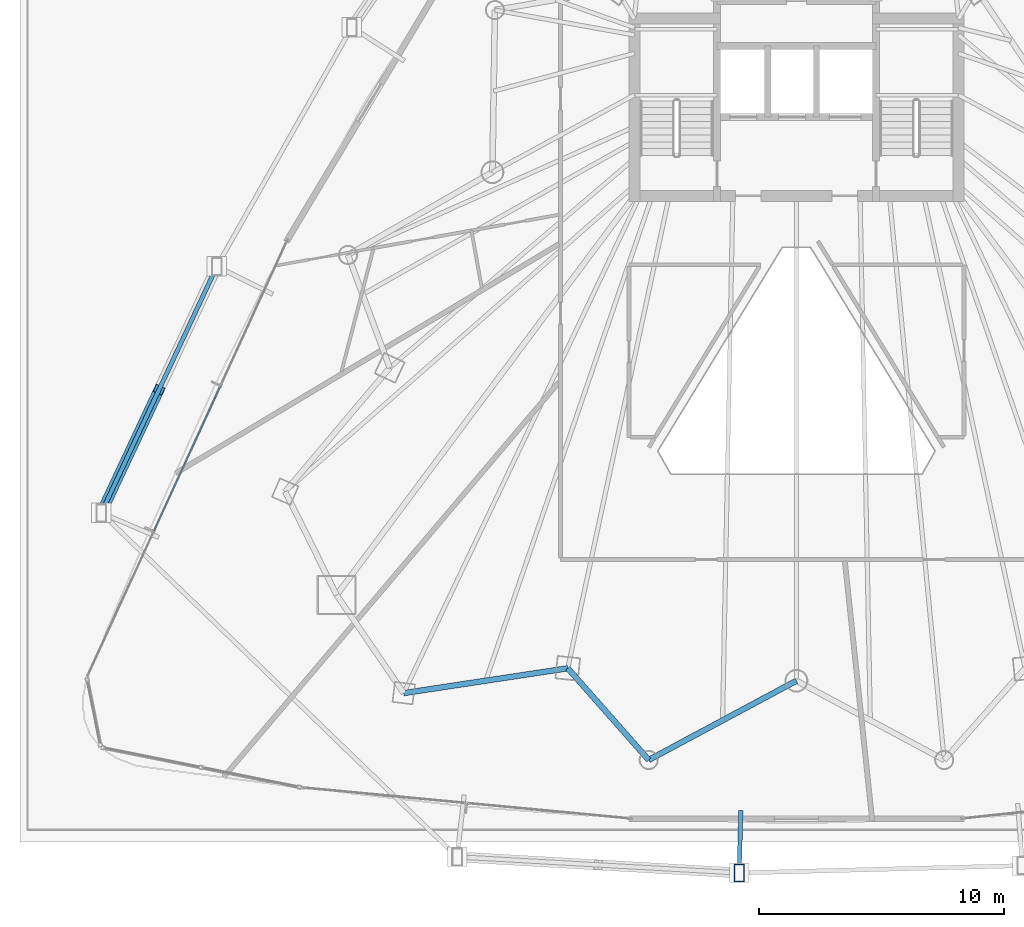
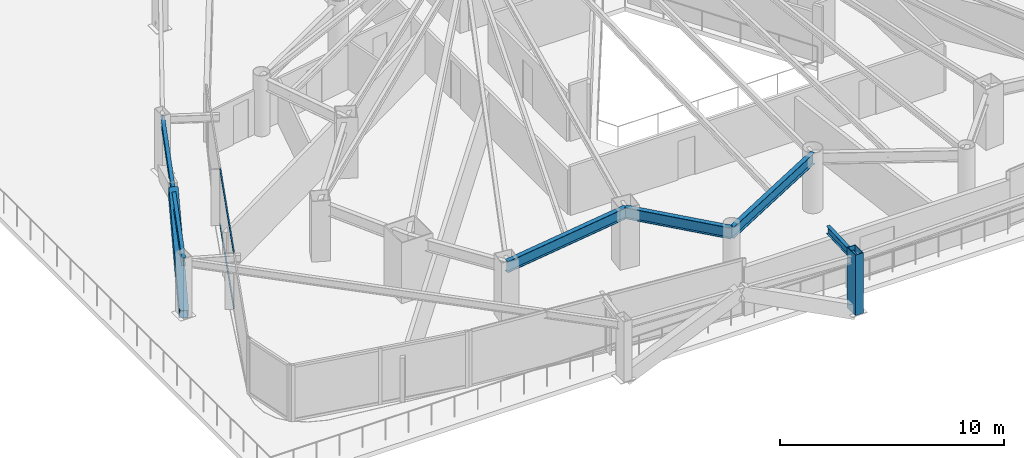
# One storey, part 7 of 36: 5 beams, 4 members, 1 element without a shape of its own.
"""IFC4 building model written with IfcOpenShell, lengths in metres."""

from ifc_helpers import new_model, si_unit, direction, frame, origin, origin_2d, place, context, subcontext, project, spatial, hollow_rectangle, i_section, extrude, material, layer, layer_set, material_profile, profile_set, type_object, element, aggregate, save


model = new_model("IFC4")

# Units and contexts
model_context = context("Model", 3, precision=1e-05, world=origin(), true_north=direction((0.0, 1.0)))
body_context = subcontext(model_context, "Body", "Model", "MODEL_VIEW")
ifc_project = project(units=[si_unit("LENGTHUNIT", "METRE"), si_unit("AREAUNIT", "SQUARE_METRE"), si_unit("VOLUMEUNIT", "CUBIC_METRE"), si_unit("PLANEANGLEUNIT", "RADIAN"), si_unit("MASSUNIT", "GRAM", prefix="KILO")], contexts=[model_context])

# Site, building, storey
site_placement = place(None, origin())
site = spatial("IfcSite", under=ifc_project, at=site_placement, CompositionType="ELEMENT")
building_placement = place(site_placement, origin())
building = spatial("IfcBuilding", under=site, at=building_placement, Name="Orvanel Arch Residences", CompositionType="ELEMENT")
storey_placement = place(building_placement, frame((0.0, 0.0, 23.60009765625)))
storey = spatial("IfcBuildingStorey", under=building, at=storey_placement, Name="L05", CompositionType="ELEMENT", Elevation=23.60009765625)

# Members
ifc_material_1 = material(Name="Structural steel AS/NZS 3678 Grade 350", Category="steel")
ifc_material_profile_1 = material_profile(ifc_material_1, hollow_rectangle(XDim=0.419921875, YDim=0.719970703125, WallThickness=0.02490234375, at=origin_2d()), Name="RHS720x420x25")
ifc_profile_set_1 = profile_set([ifc_material_profile_1], Name="Structural steel AS/NZS 3678 Grade 350")
member_type_1 = type_object("IfcMemberType", Name="BR-720RHS-EXT", PredefinedType="BRACE", material=ifc_profile_set_1)
member_1_placement = place(storey_placement, frame((4.572998046875, 13.7080078125, 0.0), z_axis=(0.377854104744, 0.805422774132, 0.456640373202), x_axis=(-0.90532403647, 0.424721542885, 0.0)))
element("IfcMember", 1, at=member_1_placement, inside=storey, type_object=member_type_1, Name="L05 Exterior Sky-Garden V-Frame Chevron F1B3.2", PredefinedType="BRACE", context=body_context, shape_type="SweptSolid", body=[
    extrude(hollow_rectangle(XDim=0.419921875, YDim=0.719970703125, WallThickness=0.02490234375, at=origin_2d()), origin(), (0.0, 0.0, 1.0), 6.25634765625),
])
ifc_material_profile_2 = material_profile(ifc_material_1, hollow_rectangle(XDim=0.419921875, YDim=0.719970703125, WallThickness=0.02490234375, at=origin_2d()), Name="RHS720x420x25")
ifc_profile_set_2 = profile_set([ifc_material_profile_2], Name="Structural steel AS/NZS 3678 Grade 350")
member_type_2 = type_object("IfcMemberType", Name="CH-720RHS-EXT", PredefinedType="CHORD", material=ifc_profile_set_2)
member_2_placement = place(storey_placement, frame((30.658935546875, -1.013916015625, 0.0), z_axis=(0.0, 0.0, 1.0), x_axis=(1.0, 0.0, 0.0)))
element("IfcMember", 2, at=member_2_placement, inside=storey, type_object=member_type_2, Name="L05 Outer Perimeter Frame Post 06", PredefinedType="CHORD", context=body_context, shape_type="SweptSolid", body=[
    extrude(hollow_rectangle(XDim=0.419921875, YDim=0.719970703125, WallThickness=0.02490234375, at=origin_2d()), origin(), (0.0, 0.0, 1.0), 3.2998046875),
])

# Beams
ifc_material_2 = material(Name="Structural steel AS/NZS 3679.1 Grade 300 (300 MPa)", Category="steel")
ifc_material_profile_3 = material_profile(ifc_material_2, i_section(OverallWidth=0.177978515625, OverallDepth=0.406005859375, WebThickness=0.0078125, FlangeThickness=0.0126953125, at=origin_2d()), Name="410UB59.7")
ifc_profile_set_3 = profile_set([ifc_material_profile_3], Name="Structural steel AS/NZS 3679.1 Grade 300 (300 MPa)")
beam_type_1 = type_object("IfcBeamType", Name="OB-410UB-EXT", PredefinedType="SPANDREL", material=ifc_profile_set_3)
beam_1_placement = place(storey_placement, frame((9.300048828125, 23.787109375, 2.85693359375), z_axis=(-0.424615912587, -0.905373584095, 0.0), x_axis=(0.905373584095, -0.424615912587, 0.0)))
element("IfcBeam", 3, at=beam_1_placement, inside=storey, type_object=beam_type_1, Name="L05 Outer Perimeter Floor Ring Beam 03", PredefinedType="SPANDREL", context=body_context, shape_type="SweptSolid", body=[
    extrude(i_section(OverallWidth=0.177978515625, OverallDepth=0.406005859375, WebThickness=0.0078125, FlangeThickness=0.0126953125, at=origin_2d()), origin(), (0.0, 0.0, 1.0), 11.132568359375),
])
beam_2_placement = place(storey_placement, frame((30.72705078125, 1.534912109375, 2.85693359375), z_axis=(-0.026714600123, -0.999643101382, 0.0), x_axis=(0.999643101382, -0.026714600123, 0.0)))
element("IfcBeam", 4, at=beam_2_placement, inside=storey, type_object=beam_type_1, Name="L05 Outer Frame Radial Tie Beam 06", PredefinedType="SPANDREL", context=body_context, shape_type="SweptSolid", body=[
    extrude(i_section(OverallWidth=0.177978515625, OverallDepth=0.406005859375, WebThickness=0.0078125, FlangeThickness=0.0126953125, at=origin_2d()), origin(), (0.0, 0.0, 1.0), 2.5498046875),
])
ifc_material_profile_4 = material_profile(ifc_material_2, i_section(OverallWidth=0.22900390625, OverallDepth=0.612060546875, WebThickness=0.011962890625, FlangeThickness=0.01953125, at=origin_2d()), Name="610UB125")
ifc_profile_set_4 = profile_set([ifc_material_profile_4], Name="Structural steel AS/NZS 3679.1 Grade 300 (300 MPa)")
beam_type_2 = type_object("IfcBeamType", Name="SP-610UB", PredefinedType="SPANDREL", material=ifc_profile_set_4)
beam_3_placement = place(storey_placement, frame((16.94091796875, 6.339111328125, 2.75390625), z_axis=(0.988726323014, 0.149733958002, 0.0), x_axis=(-0.149733958002, 0.988726323014, 0.0)))
element("IfcBeam", 5, at=beam_3_placement, inside=storey, type_object=beam_type_2, Name="L05 Perimeter Spandrel Beam 04", PredefinedType="SPANDREL", context=body_context, shape_type="SweptSolid", body=[
    extrude(i_section(OverallWidth=0.22900390625, OverallDepth=0.612060546875, WebThickness=0.011962890625, FlangeThickness=0.01953125, at=origin_2d()), origin(), (0.0, 0.0, 1.0), 6.784423828125),
])
beam_4_placement = place(storey_placement, frame((23.64892578125, 7.35498046875, 2.75390625), z_axis=(0.661650698195, -0.749812212209, 0.0), x_axis=(0.749812212209, 0.661650698195, 0.0)))
element("IfcBeam", 6, at=beam_4_placement, inside=storey, type_object=beam_type_2, Name="L05 Perimeter Spandrel Beam 05", PredefinedType="SPANDREL", context=body_context, shape_type="SweptSolid", body=[
    extrude(i_section(OverallWidth=0.22900390625, OverallDepth=0.612060546875, WebThickness=0.011962890625, FlangeThickness=0.01953125, at=origin_2d()), origin(), (0.0, 0.0, 1.0), 5.001220703125),
])
beam_5_placement = place(storey_placement, frame((26.9580078125, 3.60498046875, 2.75390625), z_axis=(0.881344400551, 0.472474388319, 0.0), x_axis=(-0.472474388319, 0.881344400551, 0.0)))
element("IfcBeam", 7, at=beam_5_placement, inside=storey, type_object=beam_type_2, Name="L05 Perimeter Spandrel Beam 06", PredefinedType="SPANDREL", context=body_context, shape_type="SweptSolid", body=[
    extrude(i_section(OverallWidth=0.22900390625, OverallDepth=0.612060546875, WebThickness=0.011962890625, FlangeThickness=0.01953125, at=origin_2d()), origin(), (0.0, 0.0, 1.0), 6.85546875),
])

# Curtain wall, members
ifc_material_3 = material(Name="Bronze-anodised aluminium AA6063-T6", Category="aluminium")
ifc_layer = layer(ifc_material_3, 0.179931640625)
ifc_layer_set = layer_set([ifc_layer], Name="Bronze-anodised aluminium AA6063-T6")
curtain_wall_type = type_object("IfcCurtainWallType", Name="CW2-LOW-SYS", PredefinedType="NOTDEFINED", material=ifc_layer_set)
curtain_wall_placement = place(storey_placement, origin())
curtain_wall = element("IfcCurtainWall", 8, at=curtain_wall_placement, inside=storey, type_object=curtain_wall_type, Name="L05 CW2-LOW-SYS Unitised Curtain Wall", PredefinedType="NOTDEFINED")
ifc_material_profile_5 = material_profile(ifc_material_3, hollow_rectangle(XDim=0.06005859375, YDim=0.135009765625, WallThickness=0.00390625, at=origin_2d()), Name="ALU135x60x4")
ifc_profile_set_5 = profile_set([ifc_material_profile_5], Name="Bronze-anodised aluminium AA6063-T6")
member_type_3 = type_object("IfcMemberType", Name="TRN-135x60", PredefinedType="USERDEFINED", material=ifc_profile_set_5)
member_3_placement = place(storey_placement, frame((9.439453125, 18.87646484375, 0.02978515625), z_axis=(-0.416771411931, -0.90901132567, 0.0), x_axis=(0.90901132567, -0.416771411931, 0.0)))
member_3 = element("IfcMember", 9, at=member_3_placement, type_object=member_type_3, Name="CW-S2 transom 2.1", ObjectType="TRANSOM", PredefinedType="USERDEFINED", context=body_context, shape_type="SweptSolid", body=[
    extrude(hollow_rectangle(XDim=0.06005859375, YDim=0.135009765625, WallThickness=0.00390625, at=origin_2d()), origin(), (0.0, 0.0, 1.0), 6.48291015625),
])
member_4_placement = place(storey_placement, frame((9.439453125, 18.87646484375, 3.02978515625), z_axis=(-0.416771411931, -0.90901132567, 0.0), x_axis=(0.90901132567, -0.416771411931, 0.0)))
member_4 = element("IfcMember", 10, at=member_4_placement, type_object=member_type_3, Name="CW-S2 transom 2.2", ObjectType="TRANSOM", PredefinedType="USERDEFINED", context=body_context, shape_type="SweptSolid", body=[
    extrude(hollow_rectangle(XDim=0.06005859375, YDim=0.135009765625, WallThickness=0.00390625, at=origin_2d()), origin(), (0.0, 0.0, 1.0), 6.48291015625),
])
aggregate(curtain_wall, [member_3, member_4])

save(model, "model.ifc")
